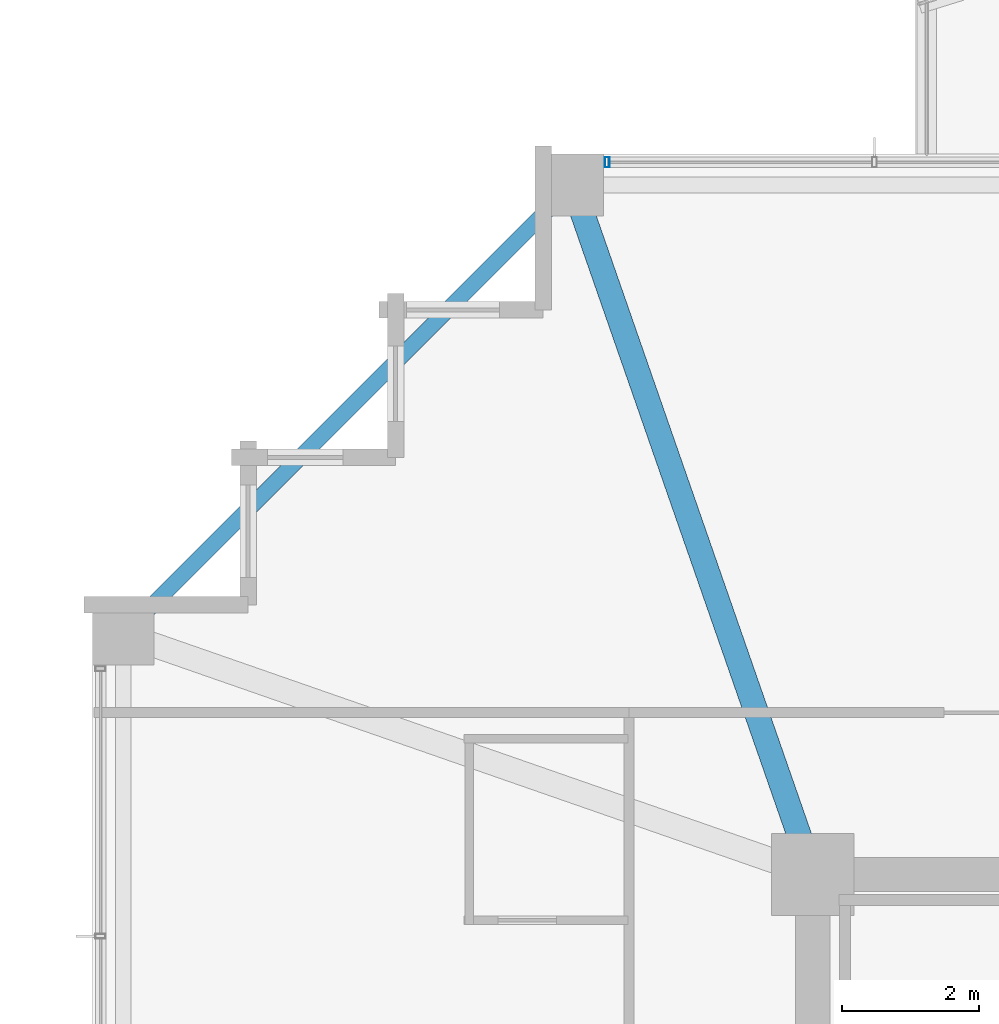
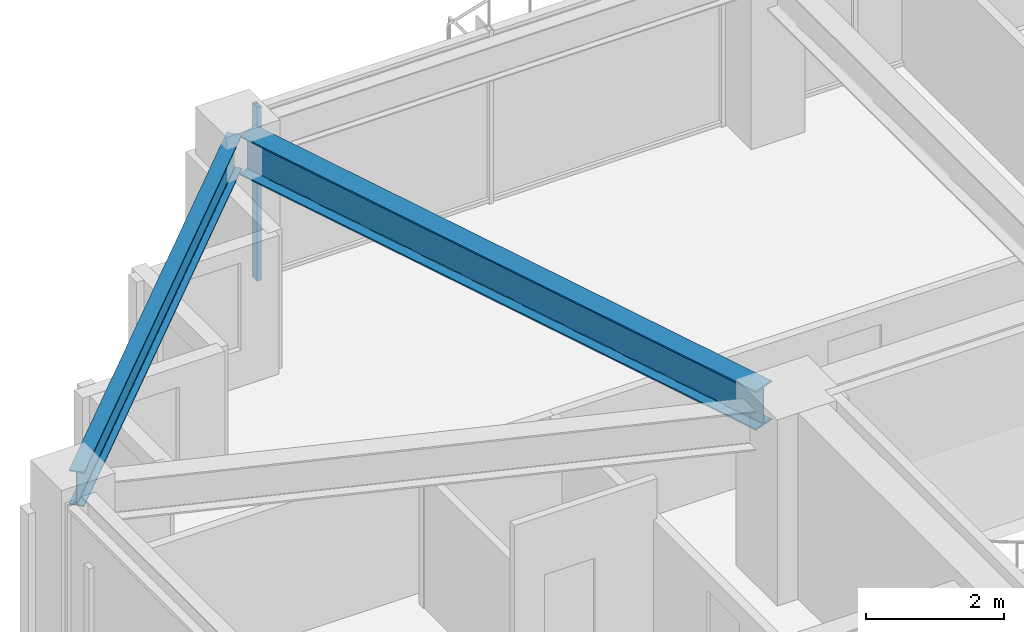
# One storey, part 17 of 37: 2 beams, 1 member, 1 element without a shape of its own.
"""IFC4 building model written with IfcOpenShell, lengths in metres."""

from ifc_helpers import new_model, si_unit, direction, frame, origin, origin_2d, place, context, subcontext, project, spatial, hollow_rectangle, i_section, extrude, material, material_profile, profile_set, type_object, element, aggregate, save


model = new_model("IFC4")

# Units and contexts
model_context = context("Model", 3, precision=1e-05, world=origin(), true_north=direction((0.0, 1.0)))
body_context = subcontext(model_context, "Body", "Model", "MODEL_VIEW")
ifc_project = project(units=[si_unit("LENGTHUNIT", "METRE"), si_unit("AREAUNIT", "SQUARE_METRE"), si_unit("VOLUMEUNIT", "CUBIC_METRE"), si_unit("PLANEANGLEUNIT", "RADIAN"), si_unit("MASSUNIT", "GRAM", prefix="KILO")], contexts=[model_context])

# Site, building, storey
site_placement = place(None, origin())
site = spatial("IfcSite", under=ifc_project, at=site_placement, CompositionType="ELEMENT")
building_placement = place(site_placement, origin())
building = spatial("IfcBuilding", under=site, at=building_placement, Name="Kolvaren Belvedere", CompositionType="ELEMENT")
storey_placement = place(building_placement, frame((0.0, 0.0, 173.39990234375)))
storey = spatial("IfcBuildingStorey", under=building, at=storey_placement, Name="L50", CompositionType="ELEMENT", Elevation=173.39990234375)

# Beams
ifc_material_1 = material(Name="Structural steel ASTM A992 Grade 50", Category="steel")
ifc_material_profile_1 = material_profile(ifc_material_1, i_section(OverallWidth=0.35498046875, OverallDepth=0.696044921875, WebThickness=0.015380859375, FlangeThickness=0.02490234375, FilletRadius=0.02197265625, at=origin_2d()), Name="W27X146")
ifc_profile_set_1 = profile_set([ifc_material_profile_1], Name="Structural steel ASTM A992 Grade 50")
beam_type_1 = type_object("IfcBeamType", Name="BM-GIRD-W27X146", PredefinedType="BEAM", material=ifc_profile_set_1)
beam_1_placement = place(storey_placement, frame((-10.080810546875, 10.41943359375, 2.732177734375), z_axis=(-0.328894130701, 0.944366798861, 0.0), x_axis=(-0.944366798861, -0.328894130701, 0.0)))
element("IfcBeam", 1, at=beam_1_placement, inside=storey, type_object=beam_type_1, Name="L50 Corner Core-to-Perimeter Girder CC4-N1", PredefinedType="BEAM", context=body_context, shape_type="SweptSolid", body=[
    extrude(i_section(OverallWidth=0.35498046875, OverallDepth=0.696044921875, WebThickness=0.015380859375, FlangeThickness=0.02490234375, FilletRadius=0.02197265625, at=origin_2d()), origin(), (0.0, 0.0, 1.0), 9.912109375),
])
ifc_material_2 = material(Name="Structural steel ASTM A992 Grade 50", Category="steel")
ifc_material_profile_2 = material_profile(ifc_material_2, i_section(OverallWidth=0.22900390625, OverallDepth=0.612060546875, WebThickness=0.011962890625, FlangeThickness=0.01953125, FilletRadius=0.01806640625, at=origin_2d()), Name="W24X84")
ifc_profile_set_2 = profile_set([ifc_material_profile_2], Name="Structural steel ASTM A992 Grade 50")
beam_type_2 = type_object("IfcBeamType", Name="BM-SPAN-W24X84", PredefinedType="SPANDREL", material=ifc_profile_set_2)
beam_2_placement = place(storey_placement, frame((-13.543212890625, 19.806884765625, 2.774169921875), z_axis=(-0.707106781187, -0.707106781187, 0.0), x_axis=(0.707106781187, -0.707106781187, 0.0)))
element("IfcBeam", 2, at=beam_2_placement, inside=storey, type_object=beam_type_2, Name="L50 Perimeter Spandrel N1-W4", PredefinedType="SPANDREL", context=body_context, shape_type="SweptSolid", body=[
    extrude(i_section(OverallWidth=0.22900390625, OverallDepth=0.612060546875, WebThickness=0.011962890625, FlangeThickness=0.01953125, FilletRadius=0.01806640625, at=origin_2d()), origin(), (0.0, 0.0, 1.0), 8.858154296875),
])

# Curtain wall, member
ifc_material_3 = material(Name="Anodised pale-metal aluminium AA 6063-T6", Category="aluminium")
curtain_wall_type = type_object("IfcCurtainWallType", Name="CW-Z5-HIGH", PredefinedType="NOTDEFINED", material=ifc_material_3)
curtain_wall_placement = place(storey_placement, origin())
curtain_wall = element("IfcCurtainWall", 3, at=curtain_wall_placement, inside=storey, type_object=curtain_wall_type, Name="L50 Unitised Curtain Wall FCW-L50-N1-B1", PredefinedType="NOTDEFINED")
ifc_material_4 = material(Name="Anodised pale-metal aluminium AA 6063-T6", Category="aluminium")
ifc_material_profile_3 = material_profile(ifc_material_4, hollow_rectangle(XDim=0.070068359375, YDim=0.14990234375, WallThickness=0.004150390625, at=origin_2d()), Name="ALU-MUL-150X70")
ifc_profile_set_3 = profile_set([ifc_material_profile_3], Name="Anodised pale-metal aluminium AA 6063-T6")
member_type = type_object("IfcMemberType", Name="CW-MUL-150", PredefinedType="MULLION", material=ifc_profile_set_3)
member_placement = place(storey_placement, frame((-12.89501953125, 20.280029296875, 0.0), z_axis=(0.0, 0.0, 1.0), x_axis=(1.0, 0.0, 0.0)))
member = element("IfcMember", 4, at=member_placement, type_object=member_type, Name="FCW-L50-N1-B1 Unitised Mullion 1", PredefinedType="MULLION", context=body_context, shape_type="SweptSolid", body=[
    extrude(hollow_rectangle(XDim=0.070068359375, YDim=0.14990234375, WallThickness=0.004150390625, at=origin_2d()), origin(), (0.0, 0.0, 1.0), 3.080078125),
])
aggregate(curtain_wall, [member])

save(model, "model.ifc")
